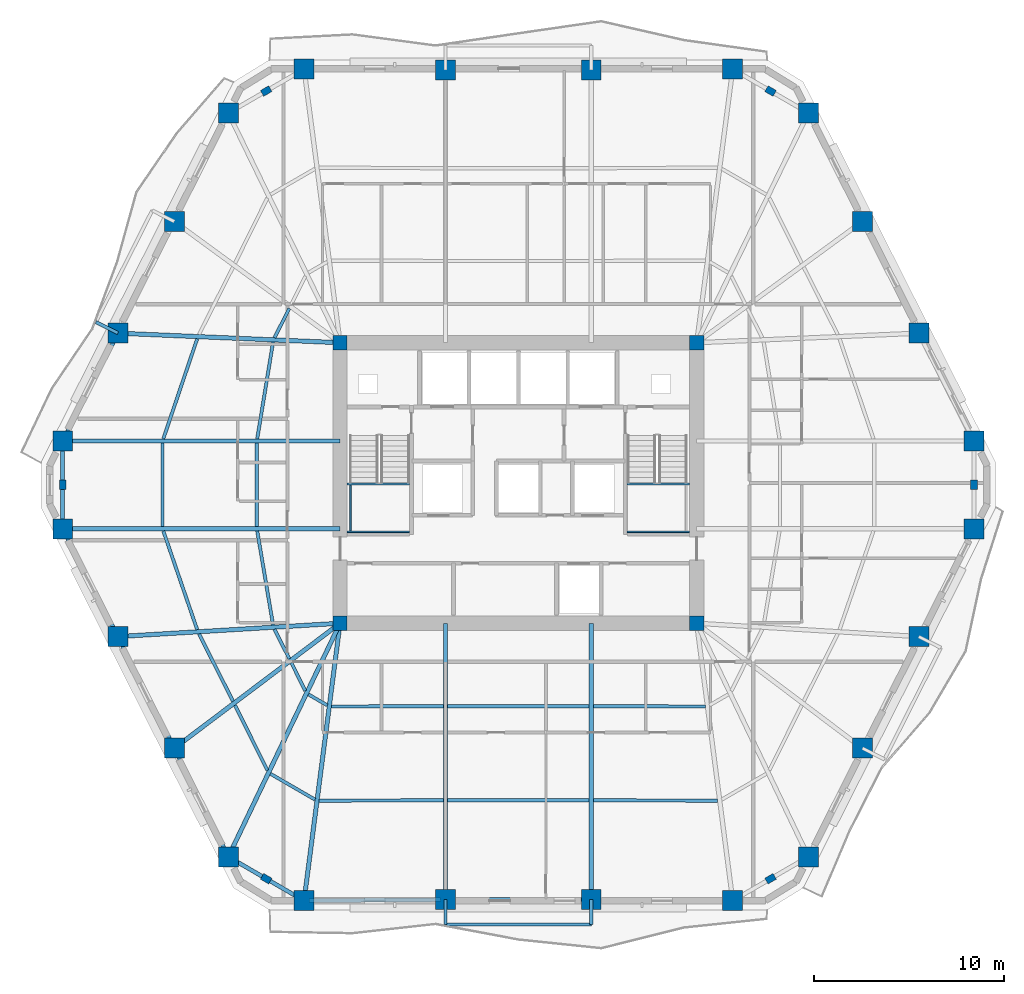
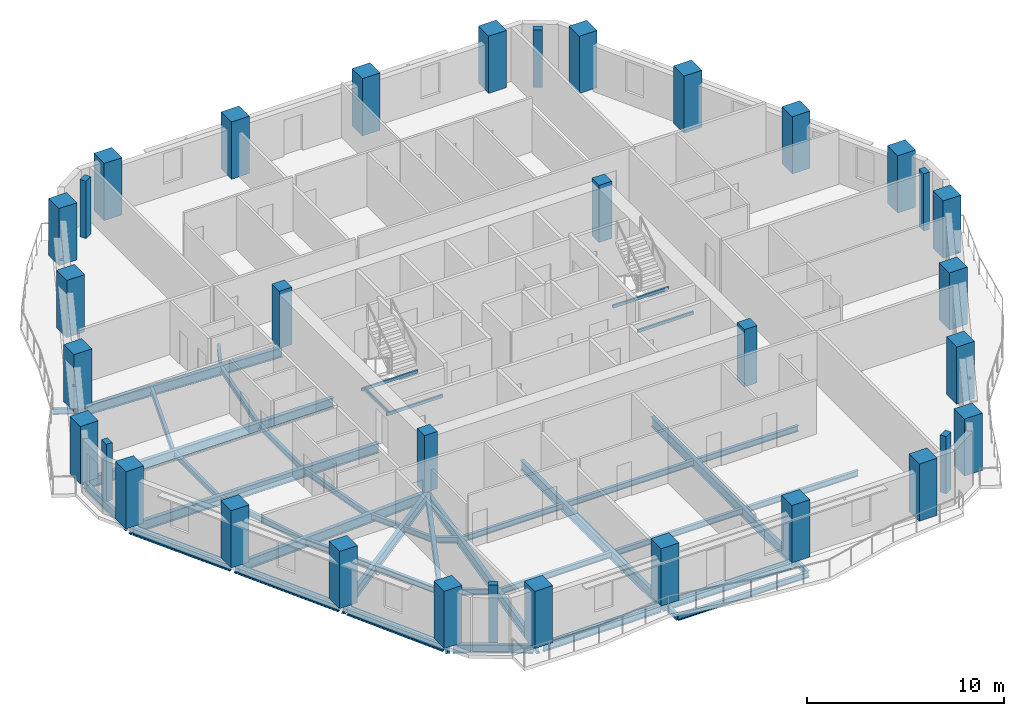
# One storey, part 1 of 12: 45 beams, 34 columns.
"""IFC4 building model written with IfcOpenShell, lengths in metres."""

import ifcopenshell
import ifcopenshell.guid

model = None  # the IFC model being written
_history = None  # IfcOwnerHistory: only IFC2X3 demands one
_inside = {}  # id of a spatial element -> (the spatial element, [elements in it])
_under = {}  # id of a project, library or spatial element -> (it, [spatial elements below it])
_declared = {}  # id of a project -> (the project, [libraries it declares])
_typed = {}  # id of a type object -> (the type object, [elements of that type])
_made_of = {}  # id of a material, layer set ... -> (it, [elements and type objects made of it])


def new_model(schema):
    """Start an empty IFC model of exactly this schema.

    Asked for "IFC4X3", IfcOpenShell would pick the latest addendum, in which some entities
    have other attributes; the version numbers below select the first issue.
    IFC2X3 requires an IfcOwnerHistory on every rooted entity: one is made here for all.
    """
    global model, _history
    if schema == "IFC4X3":
        model = ifcopenshell.file(schema_version=(4, 3, 0, 0))
    else:
        model = ifcopenshell.file(schema=schema)
    _inside.clear()
    _under.clear()
    _declared.clear()
    _typed.clear()
    _made_of.clear()
    _history = None
    if model.schema == "IFC2X3":
        org = make("IfcOrganization", Name="unknown")
        user = make(
            "IfcPersonAndOrganization",
            ThePerson=make("IfcPerson", FamilyName="unknown"),
            TheOrganization=org,
        )
        app = make(
            "IfcApplication",
            ApplicationDeveloper=org,
            Version="unknown",
            ApplicationFullName="unknown",
            ApplicationIdentifier="unknown",
        )
        _history = make(
            "IfcOwnerHistory",
            OwningUser=user,
            OwningApplication=app,
            ChangeAction="ADDED",
            CreationDate=0,
        )
    return model


def make(cls, **values):
    """One entity of the class cls with the attributes given. An attribute that is None is left unset."""
    return model.create_entity(
        cls, **{name: value for name, value in values.items() if value is not None}
    )


def rooted(cls, **values):
    """An entity with a GlobalId (a new one), such as an element, a storey or a relation."""
    return make(cls, GlobalId=ifcopenshell.guid.new(), OwnerHistory=_history, **values)


def si_unit(unit_type, name, prefix=None):
    """IfcSIUnit, for example si_unit("LENGTHUNIT", "METRE", prefix="MILLI")."""
    return make("IfcSIUnit", UnitType=unit_type, Prefix=prefix, Name=name)


def assignment(units):
    """IfcUnitAssignment: the units of a project."""
    return None if units is None else make("IfcUnitAssignment", Units=units)


def point(xyz):
    """IfcCartesianPoint."""
    return None if xyz is None else make("IfcCartesianPoint", Coordinates=xyz)


def direction(xyz):
    """IfcDirection."""
    return None if xyz is None else make("IfcDirection", DirectionRatios=xyz)


def frame(location, z_axis=None, x_axis=None):
    """IfcAxis2Placement3D, a coordinate frame: its origin and axes. An axis left out is left unset."""
    return make(
        "IfcAxis2Placement3D",
        Location=point(location),
        Axis=direction(z_axis),
        RefDirection=direction(x_axis),
    )


def frame_2d(location, x_axis=None):
    """IfcAxis2Placement2D, a coordinate frame in the plane: its origin and x axis."""
    return make(
        "IfcAxis2Placement2D", Location=point(location), RefDirection=direction(x_axis)
    )


def origin():
    """The frame at (0, 0, 0) with its axes left unset."""
    return frame((0.0, 0.0, 0.0))


def origin_2d():
    """The frame at (0, 0) in the plane with its x axis left unset."""
    return frame_2d((0.0, 0.0))


def place(relative_to, where):
    """IfcLocalPlacement: puts the frame where relative to a parent placement (None: the world)."""
    return make(
        "IfcLocalPlacement", PlacementRelTo=relative_to, RelativePlacement=where
    )


def context(
    kind, dimensions, precision=None, world=None, true_north=None, identifier=None
):
    """IfcGeometricRepresentationContext, for example the 3D "Model" context."""
    return make(
        "IfcGeometricRepresentationContext",
        ContextIdentifier=identifier,
        ContextType=kind,
        CoordinateSpaceDimension=dimensions,
        Precision=precision,
        WorldCoordinateSystem=world,
        TrueNorth=true_north,
    )


def subcontext(parent, identifier, kind, view, scale=None):
    """IfcGeometricRepresentationSubContext, for example "Body" below "Model"."""
    return make(
        "IfcGeometricRepresentationSubContext",
        ContextIdentifier=identifier,
        ContextType=kind,
        ParentContext=parent,
        TargetScale=scale,
        TargetView=view,
    )


def project(units=None, contexts=None):
    """IfcProject with its units and contexts."""
    return rooted(
        "IfcProject",
        Name="project",
        RepresentationContexts=contexts,
        UnitsInContext=assignment(units),
    )


def spatial(cls, under=None, at=None, **own):
    """A site, building, storey or space (cls), placed at a placement, below another one or the project."""
    s = rooted(cls, ObjectPlacement=at, **own)
    if under is not None:
        _under.setdefault(under.id(), (under, []))[1].append(s)
    return s


def profile(cls, at=None, kind="AREA", **sizes):
    """A parametric profile (cls). Its sizes go by their IFC names, for example OverallWidth=200.0."""
    return make(cls, ProfileType=kind, Position=at, **sizes)


def rectangle(**sizes):
    """IfcRectangleProfileDef."""
    return profile("IfcRectangleProfileDef", **sizes)


def hollow_rectangle(**sizes):
    """IfcRectangleHollowProfileDef."""
    return profile("IfcRectangleHollowProfileDef", **sizes)


def i_section(**sizes):
    """IfcIShapeProfileDef."""
    return profile("IfcIShapeProfileDef", **sizes)


def extrude(swept, where, along, depth):
    """IfcExtrudedAreaSolid: the profile swept, set in the frame where, extruded along a direction by depth."""
    return make(
        "IfcExtrudedAreaSolid",
        SweptArea=swept,
        Position=where,
        ExtrudedDirection=direction(along),
        Depth=depth,
    )


def shape(context_of_items, identifier, shape_type, items):
    """IfcShapeRepresentation: the items that make up one representation, for example the "Body"."""
    return make(
        "IfcShapeRepresentation",
        ContextOfItems=context_of_items,
        RepresentationIdentifier=identifier,
        RepresentationType=shape_type,
        Items=items,
    )


def material(Name=None, Category=None):
    """IfcMaterial."""
    return make("IfcMaterial", Name=Name, Category=Category)


def material_profile(
    of_material, cross_section, Name=None, Category=None, Priority=None
):
    """IfcMaterialProfile: a cross section and its material."""
    return make(
        "IfcMaterialProfile",
        Name=Name,
        Material=of_material,
        Profile=cross_section,
        Priority=Priority,
        Category=Category,
    )


def profile_set(profiles, Name=None, composite=None):
    """IfcMaterialProfileSet."""
    return make(
        "IfcMaterialProfileSet",
        Name=Name,
        MaterialProfiles=profiles,
        CompositeProfile=composite,
    )


def made_of(thing, what):
    """Note that an element or type object is made of a material, layer set ...; save() writes the relation."""
    if what is not None:
        _made_of.setdefault(what.id(), (what, []))[1].append(thing)
    return thing


def type_object(cls, material=None, **own):
    """A type object (cls), such as IfcWallType, which elements share."""
    return made_of(rooted(cls, **own), material)


def element(
    cls,
    number,
    at=None,
    inside=None,
    cuts=None,
    type_object=None,
    material=None,
    context=None,
    identifier="Body",
    shape_type=None,
    held_by="IfcProductDefinitionShape",
    body=None,
    shapes=None,
    **own,
):
    """One element of the class cls, such as IfcWall. Its Tag is "e" and its number.

    at: its placement. inside: the storey or other place that contains it. cuts: it is an
    opening in that element (IfcRelVoidsElement). A single representation is given by context,
    identifier, shape_type and body (its items); several are given by shapes. held_by: the class
    of the entity that holds the representations. save() writes the other relations.
    """
    e = rooted(cls, Tag="e%d" % number, ObjectPlacement=at, **own)
    if body is not None:
        shapes = [shape(context, identifier, shape_type, body)]
    if shapes is not None:
        e.Representation = make(held_by, Representations=shapes)
    if inside is not None:
        _inside.setdefault(inside.id(), (inside, []))[1].append(e)
    if cuts is not None:
        rooted(
            "IfcRelVoidsElement", RelatingBuildingElement=cuts, RelatedOpeningElement=e
        )
    if type_object is not None:
        _typed.setdefault(type_object.id(), (type_object, []))[1].append(e)
    return made_of(e, material)


def aggregate(whole, parts):
    """IfcRelAggregates: a whole, such as a stair, and the parts it consists of."""
    return rooted("IfcRelAggregates", RelatingObject=whole, RelatedObjects=parts)


def save(model, path):
    """Write the relations noted so far, then the file.

    IfcRelAggregates (storeys below a building ...), IfcRelContainedInSpatialStructure (elements
    in a storey), IfcRelDefinesByType, IfcRelAssociatesMaterial and IfcRelDeclares: one each for
    every whole, place, type object, material and project.
    """
    for whole, parts in _under.values():
        aggregate(whole, parts)
    for where, things in _inside.values():
        rooted(
            "IfcRelContainedInSpatialStructure",
            RelatedElements=things,
            RelatingStructure=where,
        )
    for kind, things in _typed.values():
        rooted("IfcRelDefinesByType", RelatedObjects=things, RelatingType=kind)
    for what, things in _made_of.values():
        rooted("IfcRelAssociatesMaterial", RelatedObjects=things, RelatingMaterial=what)
    for by, libraries in _declared.values():
        rooted("IfcRelDeclares", RelatingContext=by, RelatedDefinitions=libraries)
    model.write(path)


model = new_model("IFC4")

# Units and contexts
model_context = context("Model", 3, precision=1e-05, world=origin(), true_north=direction((0.0, 1.0)))
body_context = subcontext(model_context, "Body", "Model", "MODEL_VIEW")
ifc_project = project(units=[si_unit("LENGTHUNIT", "METRE"), si_unit("AREAUNIT", "SQUARE_METRE"), si_unit("VOLUMEUNIT", "CUBIC_METRE"), si_unit("PLANEANGLEUNIT", "RADIAN"), si_unit("MASSUNIT", "GRAM", prefix="KILO")], contexts=[model_context])

# Site, building, storey
site_placement = place(None, origin())
site = spatial("IfcSite", under=ifc_project, at=site_placement, CompositionType="ELEMENT")
building_placement = place(site_placement, origin())
building = spatial("IfcBuilding", under=site, at=building_placement, Name="Cinnabar Lancet Tower", CompositionType="ELEMENT")
storey_placement = place(building_placement, frame((0.0, 0.0, 137.449951171875)))
storey = spatial("IfcBuildingStorey", under=building, at=storey_placement, Name="L36", CompositionType="ELEMENT", Elevation=137.449951171875)

# Columns
ifc_material_1 = material(Name="Concrete C70/85", Category="concrete")
ifc_material_profile_1 = material_profile(ifc_material_1, rectangle(XDim=0.75, YDim=0.75, at=origin_2d()), Name="RC-COL 750x750")
ifc_profile_set_1 = profile_set([ifc_material_profile_1], Name="Concrete C70/85")
column_type_1 = type_object("IfcColumnType", Name="STR-COL-CORE-750", PredefinedType="COLUMN", material=ifc_profile_set_1)
for number, where, z_axis, x_axis, name in (
    (1, (23.02490234375, 18.52490234375, 0.0), (0.0, 0.0, 1.0), (1.0, 0.0, 0.0), "L36 Core Corner Column SW"),
    (2, (41.77490234375, 18.52490234375, 0.0), (0.0, 0.0, 1.0), (1.0, 0.0, 0.0), "L36 Core Corner Column SE"),
    (3, (41.77490234375, 33.27490234375, 0.0), (0.0, 0.0, 1.0), (1.0, 0.0, 0.0), "L36 Core Corner Column NE"),
    (4, (23.02490234375, 33.27490234375, 0.0), (0.0, 0.0, 1.0), (1.0, 0.0, 0.0), "L36 Core Corner Column NW"),
):
    element("IfcColumn", number, at=place(storey_placement, frame(where, z_axis=z_axis, x_axis=x_axis)), inside=storey, type_object=column_type_1, Name=name, PredefinedType="COLUMN", context=body_context, shape_type="SweptSolid", body=[
        extrude(rectangle(XDim=0.75, YDim=0.75, at=origin_2d()), origin(), (0.0, 0.0, 1.0), 3.550048828125),
    ])
ifc_material_2 = material(Name="Concrete C60/75", Category="concrete")
ifc_material_profile_2 = material_profile(ifc_material_2, rectangle(XDim=0.5, YDim=0.35009765625, at=origin_2d()), Name="RC-PIL 500x350")
ifc_profile_set_2 = profile_set([ifc_material_profile_2], Name="Concrete C60/75")
column_type_2 = type_object("IfcColumnType", Name="STR-COL-PIL-500", PredefinedType="PILASTER", material=ifc_profile_set_2)
for number, where, z_axis, x_axis, name in (
    (5, (19.14111328125, 5.093017578125, 0.0), (0.0, 0.0, 1.0), (0.865160173452, -0.501495637342, 0.0), "L36 Chamfered Corner Pilaster 1"),
    (6, (45.658935546875, 5.093017578125, 0.0), (0.0, 0.0, 1.0), (0.865160173452, 0.501495637342, 0.0), "L36 Chamfered Corner Pilaster 2"),
    (7, (56.35693359375, 25.800048828125, 0.0), (0.0, 0.0, 1.0), (0.0, 1.0, 0.0), "L36 Chamfered Corner Pilaster 3"),
    (8, (45.658935546875, 46.508056640625, 0.0), (0.0, 0.0, 1.0), (-0.865160173452, 0.501495637342, 0.0), "L36 Chamfered Corner Pilaster 4"),
    (9, (19.14111328125, 46.508056640625, 0.0), (0.0, 0.0, 1.0), (-0.865160173452, -0.501495637342, 0.0), "L36 Chamfered Corner Pilaster 5"),
    (10, (8.443115234375, 25.800048828125, 0.0), (0.0, 0.0, 1.0), (0.0, -1.0, 0.0), "L36 Chamfered Corner Pilaster 6"),
):
    element("IfcColumn", number, at=place(storey_placement, frame(where, z_axis=z_axis, x_axis=x_axis)), inside=storey, type_object=column_type_2, Name=name, PredefinedType="PILASTER", context=body_context, shape_type="SweptSolid", body=[
        extrude(rectangle(XDim=0.5, YDim=0.35009765625, at=origin_2d()), origin(), (0.0, 0.0, 1.0), 3.550048828125),
    ])
ifc_material_3 = material(Name="Concrete C70/85", Category="concrete")
ifc_material_profile_3 = material_profile(ifc_material_3, rectangle(XDim=1.050048828125, YDim=1.050048828125, at=origin_2d()), Name="RC-COL 1050x1050")
ifc_profile_set_3 = profile_set([ifc_material_profile_3], Name="Concrete C70/85")
column_type_3 = type_object("IfcColumnType", Name="STR-COL-TUBE-1050", PredefinedType="COLUMN", material=ifc_profile_set_3)
for number, where, z_axis, x_axis, name in (
    (11, (21.131103515625, 3.93896484375, 0.0), (0.0, 0.0, 1.0), (1.0, 0.0, 0.0), "L36 Perimeter Tube Column 1"),
    (12, (28.568115234375, 3.991943359375, 0.0), (0.0, 0.0, 1.0), (1.0, 0.0, 0.0), "L36 Perimeter Tube Column 2"),
    (13, (36.23193359375, 3.991943359375, 0.0), (0.0, 0.0, 1.0), (1.0, 0.0, 0.0), "L36 Perimeter Tube Column 3"),
    (14, (43.6689453125, 3.93896484375, 0.0), (0.0, 0.0, 1.0), (1.0, 0.0, 0.0), "L36 Perimeter Tube Column 4"),
    (15, (47.64892578125, 6.24609375, 0.0), (0.0, 0.0, 1.0), (1.0, 0.0, 0.0), "L36 Perimeter Tube Column 5"),
    (16, (50.489013671875, 11.955078125, 0.0), (0.0, 0.0, 1.0), (1.0, 0.0, 0.0), "L36 Perimeter Tube Column 6"),
    (17, (53.451904296875, 17.823974609375, 0.0), (0.0, 0.0, 1.0), (1.0, 0.0, 0.0), "L36 Perimeter Tube Column 7"),
    (18, (56.35693359375, 23.490966796875, 0.0), (0.0, 0.0, 1.0), (1.0, 0.0, 0.0), "L36 Perimeter Tube Column 8"),
    (19, (56.35693359375, 28.10888671875, 0.0), (0.0, 0.0, 1.0), (1.0, 0.0, 0.0), "L36 Perimeter Tube Column 9"),
    (20, (53.451904296875, 33.77587890625, 0.0), (0.0, 0.0, 1.0), (1.0, 0.0, 0.0), "L36 Perimeter Tube Column 10"),
    (21, (50.489013671875, 39.64501953125, 0.0), (0.0, 0.0, 1.0), (1.0, 0.0, 0.0), "L36 Perimeter Tube Column 11"),
    (22, (47.64892578125, 45.35400390625, 0.0), (0.0, 0.0, 1.0), (1.0, 0.0, 0.0), "L36 Perimeter Tube Column 12"),
    (23, (43.6689453125, 47.660888671875, 0.0), (0.0, 0.0, 1.0), (1.0, 0.0, 0.0), "L36 Perimeter Tube Column 13"),
    (24, (36.23193359375, 47.60791015625, 0.0), (0.0, 0.0, 1.0), (1.0, 0.0, 0.0), "L36 Perimeter Tube Column 14"),
    (25, (28.568115234375, 47.60791015625, 0.0), (0.0, 0.0, 1.0), (1.0, 0.0, 0.0), "L36 Perimeter Tube Column 15"),
    (26, (21.131103515625, 47.660888671875, 0.0), (0.0, 0.0, 1.0), (1.0, 0.0, 0.0), "L36 Perimeter Tube Column 16"),
    (27, (17.15087890625, 45.35400390625, 0.0), (0.0, 0.0, 1.0), (1.0, 0.0, 0.0), "L36 Perimeter Tube Column 17"),
    (28, (14.31103515625, 39.64501953125, 0.0), (0.0, 0.0, 1.0), (1.0, 0.0, 0.0), "L36 Perimeter Tube Column 18"),
    (29, (11.347900390625, 33.77587890625, 0.0), (0.0, 0.0, 1.0), (1.0, 0.0, 0.0), "L36 Perimeter Tube Column 19"),
    (30, (8.443115234375, 28.10888671875, 0.0), (0.0, 0.0, 1.0), (1.0, 0.0, 0.0), "L36 Perimeter Tube Column 20"),
    (31, (8.443115234375, 23.490966796875, 0.0), (0.0, 0.0, 1.0), (1.0, 0.0, 0.0), "L36 Perimeter Tube Column 21"),
    (32, (11.347900390625, 17.823974609375, 0.0), (0.0, 0.0, 1.0), (1.0, 0.0, 0.0), "L36 Perimeter Tube Column 22"),
    (33, (14.31103515625, 11.955078125, 0.0), (0.0, 0.0, 1.0), (1.0, 0.0, 0.0), "L36 Perimeter Tube Column 23"),
    (34, (17.15087890625, 6.24609375, 0.0), (0.0, 0.0, 1.0), (1.0, 0.0, 0.0), "L36 Perimeter Tube Column 24"),
):
    element("IfcColumn", number, at=place(storey_placement, frame(where, z_axis=z_axis, x_axis=x_axis)), inside=storey, type_object=column_type_3, Name=name, PredefinedType="COLUMN", context=body_context, shape_type="SweptSolid", body=[
        extrude(rectangle(XDim=1.050048828125, YDim=1.050048828125, at=origin_2d()), origin(), (0.0, 0.0, 1.0), 3.550048828125),
    ])

# Beams
ifc_material_4 = material(Name="Structural steel S355", Category="steel")
ifc_material_profile_4 = material_profile(ifc_material_4, i_section(OverallWidth=0.17138671875, OverallDepth=0.35498046875, WebThickness=0.00732421875, FlangeThickness=0.011474609375, FilletRadius=0.01025390625, at=origin_2d()), Name="UKB 356x171x51")
ifc_profile_set_4 = profile_set([ifc_material_profile_4], Name="Structural steel S355")
beam_type_1 = type_object("IfcBeamType", Name="STR-BM-JST-356", PredefinedType="JOIST", material=ifc_profile_set_4)
beam_1_placement = place(storey_placement, frame((13.73193359375, 23.376953125, -0.387939453125), z_axis=(0.324639458548, -0.945837841257, 0.0), x_axis=(0.945837841257, 0.324639458548, 0.0)))
element("IfcBeam", 35, at=beam_1_placement, inside=storey, type_object=beam_type_1, Name="L36 Secondary Floor Joist 1", PredefinedType="JOIST", context=body_context, shape_type="SweptSolid", body=[
    extrude(i_section(OverallWidth=0.17138671875, OverallDepth=0.35498046875, WebThickness=0.00732421875, FlangeThickness=0.011474609375, FilletRadius=0.01025390625, at=origin_2d()), origin(), (0.0, 0.0, 1.0), 5.486083984375),
])
beam_2_placement = place(storey_placement, frame((18.669921875, 23.376953125, -0.387939453125), z_axis=(0.165984412241, -0.986128376477, 0.0), x_axis=(0.986128376477, 0.165984412241, 0.0)))
element("IfcBeam", 36, at=beam_2_placement, inside=storey, type_object=beam_type_1, Name="L36 Secondary Floor Joist 2", PredefinedType="JOIST", context=body_context, shape_type="SweptSolid", body=[
    extrude(i_section(OverallWidth=0.17138671875, OverallDepth=0.35498046875, WebThickness=0.00732421875, FlangeThickness=0.011474609375, FilletRadius=0.01025390625, at=origin_2d()), origin(), (0.0, 0.0, 1.0), 5.0185546875),
])
beam_3_placement = place(storey_placement, frame((15.60791015625, 17.965087890625, -0.387939453125), z_axis=(0.450755070916, -0.892647671841, 0.0), x_axis=(0.892647671841, 0.450755070916, 0.0)))
element("IfcBeam", 37, at=beam_3_placement, inside=storey, type_object=beam_type_1, Name="L36 Secondary Floor Joist 3", PredefinedType="JOIST", context=body_context, shape_type="SweptSolid", body=[
    extrude(i_section(OverallWidth=0.17138671875, OverallDepth=0.35498046875, WebThickness=0.00732421875, FlangeThickness=0.011474609375, FilletRadius=0.01025390625, at=origin_2d()), origin(), (0.0, 0.0, 1.0), 3.966796875),
])
beam_4_placement = place(storey_placement, frame((19.577880859375, 18.2041015625, -0.387939453125), z_axis=(0.450874341268, -0.892587434589, 0.0), x_axis=(0.892587434589, 0.450874341268, 0.0)))
element("IfcBeam", 38, at=beam_4_placement, inside=storey, type_object=beam_type_1, Name="L36 Secondary Floor Joist 4", PredefinedType="JOIST", context=body_context, shape_type="SweptSolid", body=[
    extrude(i_section(OverallWidth=0.17138671875, OverallDepth=0.35498046875, WebThickness=0.00732421875, FlangeThickness=0.011474609375, FilletRadius=0.01025390625, at=origin_2d()), origin(), (0.0, 0.0, 1.0), 1.732177734375),
])
beam_5_placement = place(storey_placement, frame((17.5, 14.216064453125, -0.387939453125), z_axis=(0.445295120803, -0.895383859241, 0.0), x_axis=(0.895383859241, 0.445295120803, 0.0)))
element("IfcBeam", 39, at=beam_5_placement, inside=storey, type_object=beam_type_1, Name="L36 Secondary Floor Joist 5", PredefinedType="JOIST", context=body_context, shape_type="SweptSolid", body=[
    extrude(i_section(OverallWidth=0.17138671875, OverallDepth=0.35498046875, WebThickness=0.00732421875, FlangeThickness=0.011474609375, FilletRadius=0.01025390625, at=origin_2d()), origin(), (0.0, 0.0, 1.0), 3.81982421875),
])
beam_6_placement = place(storey_placement, frame((20.4619140625, 16.449951171875, -0.387939453125), z_axis=(0.445557690111, -0.895253229418, 0.0), x_axis=(0.895253229418, 0.445557690111, 0.0)))
element("IfcBeam", 40, at=beam_6_placement, inside=storey, type_object=beam_type_1, Name="L36 Secondary Floor Joist 6", PredefinedType="JOIST", context=body_context, shape_type="SweptSolid", body=[
    extrude(i_section(OverallWidth=0.17138671875, OverallDepth=0.35498046875, WebThickness=0.00732421875, FlangeThickness=0.011474609375, FilletRadius=0.01025390625, at=origin_2d()), origin(), (0.0, 0.0, 1.0), 1.652099609375),
])
beam_7_placement = place(storey_placement, frame((19.364990234375, 10.60888671875, -0.387939453125), z_axis=(0.865172906898, -0.501473669469, 0.0), x_axis=(0.501473669469, 0.865172906898, 0.0)))
element("IfcBeam", 41, at=beam_7_placement, inside=storey, type_object=beam_type_1, Name="L36 Secondary Floor Joist 7", PredefinedType="JOIST", context=body_context, shape_type="SweptSolid", body=[
    extrude(i_section(OverallWidth=0.17138671875, OverallDepth=0.35498046875, WebThickness=0.00732421875, FlangeThickness=0.011474609375, FilletRadius=0.01025390625, at=origin_2d()), origin(), (0.0, 0.0, 1.0), 2.705810546875),
])
beam_8_placement = place(storey_placement, frame((21.362060546875, 14.783935546875, -0.387939453125), z_axis=(0.865055308165, -0.501676503154, 0.0), x_axis=(0.501676503154, 0.865055308165, 0.0)))
element("IfcBeam", 42, at=beam_8_placement, inside=storey, type_object=beam_type_1, Name="L36 Secondary Floor Joist 8", PredefinedType="JOIST", context=body_context, shape_type="SweptSolid", body=[
    extrude(i_section(OverallWidth=0.17138671875, OverallDepth=0.35498046875, WebThickness=0.00732421875, FlangeThickness=0.011474609375, FilletRadius=0.01025390625, at=origin_2d()), origin(), (0.0, 0.0, 1.0), 1.14208984375),
])
beam_9_placement = place(storey_placement, frame((21.927978515625, 9.19091796875, -0.387939453125), z_axis=(0.999987991898, 0.004900618269, 0.0), x_axis=(-0.004900618269, 0.999987991898, 0.0)))
element("IfcBeam", 43, at=beam_9_placement, inside=storey, type_object=beam_type_1, Name="L36 Secondary Floor Joist 9", PredefinedType="JOIST", context=body_context, shape_type="SweptSolid", body=[
    extrude(i_section(OverallWidth=0.17138671875, OverallDepth=0.35498046875, WebThickness=0.00732421875, FlangeThickness=0.011474609375, FilletRadius=0.01025390625, at=origin_2d()), origin(), (0.0, 0.0, 1.0), 6.526123046875),
])
beam_10_placement = place(storey_placement, frame((22.572021484375, 14.14892578125, -0.387939453125), z_axis=(0.999996247906, 0.002739374605, 0.0), x_axis=(-0.002739374605, 0.999996247906, 0.0)))
element("IfcBeam", 44, at=beam_10_placement, inside=storey, type_object=beam_type_1, Name="L36 Secondary Floor Joist 10", PredefinedType="JOIST", context=body_context, shape_type="SweptSolid", body=[
    extrude(i_section(OverallWidth=0.17138671875, OverallDepth=0.35498046875, WebThickness=0.00732421875, FlangeThickness=0.011474609375, FilletRadius=0.01025390625, at=origin_2d()), origin(), (0.0, 0.0, 1.0), 5.882080078125),
])
for number, where, z_axis, x_axis, name in (
    (45, (28.681884765625, 9.22412109375, -0.387939453125), (1.0, 0.0, 0.0), (0.0, 1.0, 0.0), "L36 Secondary Floor Joist 11"),
    (46, (28.681884765625, 14.1650390625, -0.387939453125), (1.0, 0.0, 0.0), (0.0, 1.0, 0.0), "L36 Secondary Floor Joist 12"),
):
    element("IfcBeam", number, at=place(storey_placement, frame(where, z_axis=z_axis, x_axis=x_axis)), inside=storey, type_object=beam_type_1, Name=name, PredefinedType="JOIST", context=body_context, shape_type="SweptSolid", body=[
        extrude(i_section(OverallWidth=0.17138671875, OverallDepth=0.35498046875, WebThickness=0.00732421875, FlangeThickness=0.011474609375, FilletRadius=0.01025390625, at=origin_2d()), origin(), (0.0, 0.0, 1.0), 7.43603515625),
    ])
beam_11_placement = place(storey_placement, frame((36.345947265625, 9.222900390625, -0.387939453125), z_axis=(0.999987991898, -0.004900618269, 0.0), x_axis=(0.004900618269, 0.999987991898, 0.0)))
element("IfcBeam", 47, at=beam_11_placement, inside=storey, type_object=beam_type_1, Name="L36 Secondary Floor Joist 13", PredefinedType="JOIST", context=body_context, shape_type="SweptSolid", body=[
    extrude(i_section(OverallWidth=0.17138671875, OverallDepth=0.35498046875, WebThickness=0.00732421875, FlangeThickness=0.011474609375, FilletRadius=0.01025390625, at=origin_2d()), origin(), (0.0, 0.0, 1.0), 6.526123046875),
])
beam_12_placement = place(storey_placement, frame((36.345947265625, 14.1650390625, -0.387939453125), z_axis=(0.999996247906, -0.002739374605, 0.0), x_axis=(0.002739374605, 0.999996247906, 0.0)))
element("IfcBeam", 48, at=beam_12_placement, inside=storey, type_object=beam_type_1, Name="L36 Secondary Floor Joist 14", PredefinedType="JOIST", context=body_context, shape_type="SweptSolid", body=[
    extrude(i_section(OverallWidth=0.17138671875, OverallDepth=0.35498046875, WebThickness=0.00732421875, FlangeThickness=0.011474609375, FilletRadius=0.01025390625, at=origin_2d()), origin(), (0.0, 0.0, 1.0), 5.882080078125),
])
beam_13_placement = place(storey_placement, frame((20.35888671875, 35.0830078125, -0.387939453125), z_axis=(-0.450931068976, -0.892558777354, 0.0), x_axis=(0.892558777354, -0.450931068976, 0.0)))
element("IfcBeam", 49, at=beam_13_placement, inside=storey, type_object=beam_type_1, Name="L36 Secondary Floor Joist 44", PredefinedType="JOIST", context=body_context, shape_type="SweptSolid", body=[
    extrude(i_section(OverallWidth=0.17138671875, OverallDepth=0.35498046875, WebThickness=0.00732421875, FlangeThickness=0.011474609375, FilletRadius=0.01025390625, at=origin_2d()), origin(), (0.0, 0.0, 1.0), 1.73193359375),
])
beam_14_placement = place(storey_placement, frame((15.513916015625, 33.48291015625, -0.387939453125), z_axis=(-0.321023911172, -0.947071089442, 0.0), x_axis=(0.947071089442, -0.321023911172, 0.0)))
element("IfcBeam", 50, at=beam_14_placement, inside=storey, type_object=beam_type_1, Name="L36 Secondary Floor Joist 45", PredefinedType="JOIST", context=body_context, shape_type="SweptSolid", body=[
    extrude(i_section(OverallWidth=0.17138671875, OverallDepth=0.35498046875, WebThickness=0.00732421875, FlangeThickness=0.011474609375, FilletRadius=0.01025390625, at=origin_2d()), origin(), (0.0, 0.0, 1.0), 5.553955078125),
])
beam_15_placement = place(storey_placement, frame((19.5029296875, 33.31201171875, -0.387939453125), z_axis=(-0.161719098977, -0.986836832017, 0.0), x_axis=(0.986836832017, -0.161719098977, 0.0)))
element("IfcBeam", 51, at=beam_15_placement, inside=storey, type_object=beam_type_1, Name="L36 Secondary Floor Joist 46", PredefinedType="JOIST", context=body_context, shape_type="SweptSolid", body=[
    extrude(i_section(OverallWidth=0.17138671875, OverallDepth=0.35498046875, WebThickness=0.00732421875, FlangeThickness=0.011474609375, FilletRadius=0.01025390625, at=origin_2d()), origin(), (0.0, 0.0, 1.0), 5.156982421875),
])
for number, where, z_axis, x_axis, name in (
    (52, (13.693115234375, 27.9951171875, -0.387939453125), (0.0, -1.0, 0.0), (1.0, 0.0, 0.0), "L36 Secondary Floor Joist 47"),
    (53, (18.64990234375, 27.9951171875, -0.387939453125), (0.0, -1.0, 0.0), (1.0, 0.0, 0.0), "L36 Secondary Floor Joist 48"),
):
    element("IfcBeam", number, at=place(storey_placement, frame(where, z_axis=z_axis, x_axis=x_axis)), inside=storey, type_object=beam_type_1, Name=name, PredefinedType="JOIST", context=body_context, shape_type="SweptSolid", body=[
        extrude(i_section(OverallWidth=0.17138671875, OverallDepth=0.35498046875, WebThickness=0.00732421875, FlangeThickness=0.011474609375, FilletRadius=0.01025390625, at=origin_2d()), origin(), (0.0, 0.0, 1.0), 4.39013671875),
    ])
ifc_material_5 = material(Name="Structural steel S355", Category="steel")
ifc_material_profile_5 = material_profile(ifc_material_5, hollow_rectangle(XDim=0.10009765625, YDim=0.199951171875, WallThickness=0.008056640625, InnerFilletRadius=0.00390625, OuterFilletRadius=0.011962890625, at=origin_2d()), Name="RHS 200x100x8")
ifc_profile_set_5 = profile_set([ifc_material_profile_5], Name="Structural steel S355")
beam_type_2 = type_object("IfcBeamType", Name="STR-BM-LND-203", PredefinedType="BEAM", material=ifc_profile_set_5)
for number, where, z_axis, x_axis, name in (
    (54, (23.39990234375, 23.330078125, 1.47509765625), (1.0, 0.0, 0.0), (0.0, 1.0, 0.0), "L36 ST-1-L36 Landing Support Beam S"),
    (55, (23.39990234375, 25.844970703125, 1.47509765625), (1.0, 0.0, 0.0), (0.0, 1.0, 0.0), "L36 ST-1-L36 Landing Support Beam N"),
):
    element("IfcBeam", number, at=place(storey_placement, frame(where, z_axis=z_axis, x_axis=x_axis)), inside=storey, type_object=beam_type_2, Name=name, PredefinedType="BEAM", context=body_context, shape_type="SweptSolid", body=[
        extrude(hollow_rectangle(XDim=0.10009765625, YDim=0.199951171875, WallThickness=0.008056640625, InnerFilletRadius=0.00390625, OuterFilletRadius=0.011962890625, at=origin_2d()), origin(), (0.0, 0.0, 1.0), 3.280029296875),
    ])
beam_16_placement = place(storey_placement, frame((23.580078125, 23.3798828125, 1.47509765625), z_axis=(0.0, 1.0, 0.0), x_axis=(-1.0, 0.0, 0.0)))
element("IfcBeam", 56, at=beam_16_placement, inside=storey, type_object=beam_type_2, Name="L36 ST-1-L36 Landing Side Trimmer Beam", PredefinedType="BEAM", context=body_context, shape_type="SweptSolid", body=[
    extrude(hollow_rectangle(XDim=0.10009765625, YDim=0.199951171875, WallThickness=0.008056640625, InnerFilletRadius=0.00390625, OuterFilletRadius=0.011962890625, at=origin_2d()), origin(), (0.0, 0.0, 1.0), 2.4150390625),
])
for number, where, z_axis, x_axis, name in (
    (57, (38.1201171875, 23.330078125, 1.47509765625), (1.0, 0.0, 0.0), (0.0, 1.0, 0.0), "L36 ST-2-L36 Landing Support Beam S"),
    (58, (38.1201171875, 25.844970703125, 1.47509765625), (1.0, 0.0, 0.0), (0.0, 1.0, 0.0), "L36 ST-2-L36 Landing Support Beam N"),
):
    element("IfcBeam", number, at=place(storey_placement, frame(where, z_axis=z_axis, x_axis=x_axis)), inside=storey, type_object=beam_type_2, Name=name, PredefinedType="BEAM", context=body_context, shape_type="SweptSolid", body=[
        extrude(hollow_rectangle(XDim=0.10009765625, YDim=0.199951171875, WallThickness=0.008056640625, InnerFilletRadius=0.00390625, OuterFilletRadius=0.011962890625, at=origin_2d()), origin(), (0.0, 0.0, 1.0), 3.27978515625),
    ])
ifc_material_6 = material(Name="Structural steel S355", Category="steel")
ifc_material_profile_6 = material_profile(ifc_material_6, i_section(OverallWidth=0.209228515625, OverallDepth=0.533203125, WebThickness=0.010009765625, FlangeThickness=0.015625, FilletRadius=0.0126953125, at=origin_2d()), Name="UKB 533x210x92")
ifc_profile_set_6 = profile_set([ifc_material_profile_6], Name="Structural steel S355")
beam_type_3 = type_object("IfcBeamType", Name="STR-BM-SPN-533", PredefinedType="SPANDREL", material=ifc_profile_set_6)
beam_17_placement = place(storey_placement, frame((21.381103515625, 3.94091796875, -0.47705078125), z_axis=(0.999974980359, 0.007073800628, 0.0), x_axis=(-0.007073800628, 0.999974980359, 0.0)))
element("IfcBeam", 59, at=beam_17_placement, inside=storey, type_object=beam_type_3, Name="L36 Perimeter Spandrel 1", PredefinedType="SPANDREL", context=body_context, shape_type="SweptSolid", body=[
    extrude(i_section(OverallWidth=0.209228515625, OverallDepth=0.533203125, WebThickness=0.010009765625, FlangeThickness=0.015625, FilletRadius=0.0126953125, at=origin_2d()), origin(), (0.0, 0.0, 1.0), 6.937255859375),
])
beam_18_placement = place(storey_placement, frame((28.818115234375, 3.991943359375, -0.47705078125), z_axis=(1.0, 0.0, 0.0), x_axis=(0.0, 1.0, 0.0)))
element("IfcBeam", 60, at=beam_18_placement, inside=storey, type_object=beam_type_3, Name="L36 Perimeter Spandrel 2", PredefinedType="SPANDREL", context=body_context, shape_type="SweptSolid", body=[
    extrude(i_section(OverallWidth=0.209228515625, OverallDepth=0.533203125, WebThickness=0.010009765625, FlangeThickness=0.015625, FilletRadius=0.0126953125, at=origin_2d()), origin(), (0.0, 0.0, 1.0), 7.163818359375),
])
beam_19_placement = place(storey_placement, frame((11.23388671875, 33.553955078125, -0.47705078125), z_axis=(-0.456126618405, -0.889914888055, 0.0), x_axis=(0.889914888055, -0.456126618405, 0.0)))
element("IfcBeam", 61, at=beam_19_placement, inside=storey, type_object=beam_type_3, Name="L36 Perimeter Spandrel 19", PredefinedType="SPANDREL", context=body_context, shape_type="SweptSolid", body=[
    extrude(i_section(OverallWidth=0.209228515625, OverallDepth=0.533203125, WebThickness=0.010009765625, FlangeThickness=0.015625, FilletRadius=0.0126953125, at=origin_2d()), origin(), (0.0, 0.0, 1.0), 5.868896484375),
])
beam_20_placement = place(storey_placement, frame((8.443115234375, 27.85888671875, -0.47705078125), z_axis=(0.0, -1.0, 0.0), x_axis=(1.0, 0.0, 0.0)))
element("IfcBeam", 62, at=beam_20_placement, inside=storey, type_object=beam_type_3, Name="L36 Perimeter Spandrel 20", PredefinedType="SPANDREL", context=body_context, shape_type="SweptSolid", body=[
    extrude(i_section(OverallWidth=0.209228515625, OverallDepth=0.533203125, WebThickness=0.010009765625, FlangeThickness=0.015625, FilletRadius=0.0126953125, at=origin_2d()), origin(), (0.0, 0.0, 1.0), 4.117919921875),
])
beam_21_placement = place(storey_placement, frame((8.556884765625, 23.26904296875, -0.47705078125), z_axis=(0.456109733574, -0.889923542187, 0.0), x_axis=(0.889923542187, 0.456109733574, 0.0)))
element("IfcBeam", 63, at=beam_21_placement, inside=storey, type_object=beam_type_3, Name="L36 Perimeter Spandrel 21", PredefinedType="SPANDREL", context=body_context, shape_type="SweptSolid", body=[
    extrude(i_section(OverallWidth=0.209228515625, OverallDepth=0.533203125, WebThickness=0.010009765625, FlangeThickness=0.015625, FilletRadius=0.0126953125, at=origin_2d()), origin(), (0.0, 0.0, 1.0), 5.869140625),
])
beam_22_placement = place(storey_placement, frame((11.4609375, 17.60107421875, -0.47705078125), z_axis=(0.450570325924, -0.892740937449, 0.0), x_axis=(0.892740937449, 0.450570325924, 0.0)))
element("IfcBeam", 64, at=beam_22_placement, inside=storey, type_object=beam_type_3, Name="L36 Perimeter Spandrel 22", PredefinedType="SPANDREL", context=body_context, shape_type="SweptSolid", body=[
    extrude(i_section(OverallWidth=0.209228515625, OverallDepth=0.533203125, WebThickness=0.010009765625, FlangeThickness=0.015625, FilletRadius=0.0126953125, at=origin_2d()), origin(), (0.0, 0.0, 1.0), 6.07470703125),
])
beam_23_placement = place(storey_placement, frame((14.422119140625, 11.73095703125, -0.47705078125), z_axis=(0.445501068635, -0.89528140707, 0.0), x_axis=(0.89528140707, 0.445501068635, 0.0)))
element("IfcBeam", 65, at=beam_23_placement, inside=storey, type_object=beam_type_3, Name="L36 Perimeter Spandrel 23", PredefinedType="SPANDREL", context=body_context, shape_type="SweptSolid", body=[
    extrude(i_section(OverallWidth=0.209228515625, OverallDepth=0.533203125, WebThickness=0.010009765625, FlangeThickness=0.015625, FilletRadius=0.0126953125, at=origin_2d()), origin(), (0.0, 0.0, 1.0), 5.87646484375),
])
beam_24_placement = place(storey_placement, frame((17.366943359375, 6.12109375, -0.47705078125), z_axis=(0.865112299906, -0.501578217781, 0.0), x_axis=(0.501578217781, 0.865112299906, 0.0)))
element("IfcBeam", 66, at=beam_24_placement, inside=storey, type_object=beam_type_3, Name="L36 Perimeter Spandrel 24", PredefinedType="SPANDREL", context=body_context, shape_type="SweptSolid", body=[
    extrude(i_section(OverallWidth=0.209228515625, OverallDepth=0.533203125, WebThickness=0.010009765625, FlangeThickness=0.015625, FilletRadius=0.0126953125, at=origin_2d()), origin(), (0.0, 0.0, 1.0), 4.101318359375),
])
ifc_material_7 = material(Name="Structural steel S355", Category="steel")
ifc_material_profile_7 = material_profile(ifc_material_7, i_section(OverallWidth=0.228271484375, OverallDepth=0.607666015625, WebThickness=0.010986328125, FlangeThickness=0.017333984375, FilletRadius=0.0126953125, at=origin_2d()), Name="UKB 610x229x113")
ifc_profile_set_7 = profile_set([ifc_material_profile_7], Name="Structural steel S355")
beam_type_4 = type_object("IfcBeamType", Name="STR-BM-UKB610-113", PredefinedType="BEAM", material=ifc_profile_set_7)
beam_25_placement = place(storey_placement, frame((14.31103515625, 11.955078125, -0.513916015625), z_axis=(0.798483350078, 0.602016893158, 0.0), x_axis=(-0.602016893158, 0.798483350078, 0.0)))
element("IfcBeam", 67, at=beam_25_placement, inside=storey, type_object=beam_type_4, Name="L36 Corner Collector Girder 1", PredefinedType="BEAM", context=body_context, shape_type="SweptSolid", body=[
    extrude(i_section(OverallWidth=0.228271484375, OverallDepth=0.607666015625, WebThickness=0.010986328125, FlangeThickness=0.017333984375, FilletRadius=0.0126953125, at=origin_2d()), origin(), (0.0, 0.0, 1.0), 10.9130859375),
])
beam_26_placement = place(storey_placement, frame((21.131103515625, 3.93896484375, -0.513916015625), z_axis=(0.128756570002, 0.991676230269, 0.0), x_axis=(-0.991676230269, 0.128756570002, 0.0)))
element("IfcBeam", 68, at=beam_26_placement, inside=storey, type_object=beam_type_4, Name="L36 Primary Floor Girder 1", PredefinedType="BEAM", context=body_context, shape_type="SweptSolid", body=[
    extrude(i_section(OverallWidth=0.228271484375, OverallDepth=0.607666015625, WebThickness=0.010986328125, FlangeThickness=0.017333984375, FilletRadius=0.0126953125, at=origin_2d()), origin(), (0.0, 0.0, 1.0), 14.708251953125),
])
for number, where, z_axis, x_axis, name in (
    (69, (28.568115234375, 3.991943359375, -0.513916015625), (0.0, 1.0, 0.0), (-1.0, 0.0, 0.0), "L36 Primary Floor Girder 2"),
    (70, (36.23193359375, 3.991943359375, -0.513916015625), (0.0, 1.0, 0.0), (-1.0, 0.0, 0.0), "L36 Primary Floor Girder 3"),
):
    element("IfcBeam", number, at=place(storey_placement, frame(where, z_axis=z_axis, x_axis=x_axis)), inside=storey, type_object=beam_type_4, Name=name, PredefinedType="BEAM", context=body_context, shape_type="SweptSolid", body=[
        extrude(i_section(OverallWidth=0.228271484375, OverallDepth=0.607666015625, WebThickness=0.010986328125, FlangeThickness=0.017333984375, FilletRadius=0.0126953125, at=origin_2d()), origin(), (0.0, 0.0, 1.0), 14.532958984375),
    ])
beam_27_placement = place(storey_placement, frame((11.347900390625, 33.77587890625, -0.513916015625), z_axis=(0.999080941658, -0.042863411158, 0.0), x_axis=(0.042863411158, 0.999080941658, 0.0)))
element("IfcBeam", 71, at=beam_27_placement, inside=storey, type_object=beam_type_4, Name="L36 Primary Floor Girder 19", PredefinedType="BEAM", context=body_context, shape_type="SweptSolid", body=[
    extrude(i_section(OverallWidth=0.228271484375, OverallDepth=0.607666015625, WebThickness=0.010986328125, FlangeThickness=0.017333984375, FilletRadius=0.0126953125, at=origin_2d()), origin(), (0.0, 0.0, 1.0), 11.687744140625),
])
for number, where, z_axis, x_axis, name in (
    (72, (8.443115234375, 28.10888671875, -0.513916015625), (1.0, 0.0, 0.0), (0.0, 1.0, 0.0), "L36 Primary Floor Girder 20"),
    (73, (8.443115234375, 23.490966796875, -0.513916015625), (1.0, 0.0, 0.0), (0.0, 1.0, 0.0), "L36 Primary Floor Girder 21"),
):
    element("IfcBeam", number, at=place(storey_placement, frame(where, z_axis=z_axis, x_axis=x_axis)), inside=storey, type_object=beam_type_4, Name=name, PredefinedType="BEAM", context=body_context, shape_type="SweptSolid", body=[
        extrude(i_section(OverallWidth=0.228271484375, OverallDepth=0.607666015625, WebThickness=0.010986328125, FlangeThickness=0.017333984375, FilletRadius=0.0126953125, at=origin_2d()), origin(), (0.0, 0.0, 1.0), 14.581787109375),
    ])
beam_28_placement = place(storey_placement, frame((11.347900390625, 17.823974609375, -0.513916015625), z_axis=(0.998203272991, 0.059918492897, 0.0), x_axis=(-0.059918492897, 0.998203272991, 0.0)))
element("IfcBeam", 74, at=beam_28_placement, inside=storey, type_object=beam_type_4, Name="L36 Primary Floor Girder 22", PredefinedType="BEAM", context=body_context, shape_type="SweptSolid", body=[
    extrude(i_section(OverallWidth=0.228271484375, OverallDepth=0.607666015625, WebThickness=0.010986328125, FlangeThickness=0.017333984375, FilletRadius=0.0126953125, at=origin_2d()), origin(), (0.0, 0.0, 1.0), 11.697998046875),
])
beam_29_placement = place(storey_placement, frame((17.15087890625, 6.24609375, -0.513916015625), z_axis=(0.431548156881, 0.902089900339, 0.0), x_axis=(-0.902089900339, 0.431548156881, 0.0)))
element("IfcBeam", 75, at=beam_29_placement, inside=storey, type_object=beam_type_4, Name="L36 Primary Floor Girder 24", PredefinedType="BEAM", context=body_context, shape_type="SweptSolid", body=[
    extrude(i_section(OverallWidth=0.228271484375, OverallDepth=0.607666015625, WebThickness=0.010986328125, FlangeThickness=0.017333984375, FilletRadius=0.0126953125, at=origin_2d()), origin(), (0.0, 0.0, 1.0), 13.611572265625),
])
ifc_material_8 = material(Name="Structural steel S355", Category="steel")
ifc_material_profile_8 = material_profile(ifc_material_8, i_section(OverallWidth=0.17138671875, OverallDepth=0.35498046875, WebThickness=0.00732421875, FlangeThickness=0.011474609375, FilletRadius=0.01025390625, at=origin_2d()), Name="UKB 356x171x51")
ifc_profile_set_8 = profile_set([ifc_material_profile_8], Name="Structural steel S355")
beam_type_5 = type_object("IfcBeamType", Name="STR-BM-WAV-OUT", PredefinedType="BEAM", material=ifc_profile_set_8)
for number, where, z_axis, x_axis, name in (
    (76, (28.568115234375, 3.991943359375, -0.39794921875), (0.0, -1.0, 0.0), (1.0, 0.0, 0.0), "L36 Face 1 Balcony Outlooker A"),
    (77, (36.23193359375, 3.991943359375, -0.39794921875), (0.0, -1.0, 0.0), (1.0, 0.0, 0.0), "L36 Face 1 Balcony Outlooker B"),
    (78, (11.347900390625, 33.77587890625, -0.39794921875), (-0.892200264127, 0.451639998995, 0.0), (-0.451639998995, -0.892200264127, 0.0), "L36 Face 5 Balcony Outlooker B"),
):
    element("IfcBeam", number, at=place(storey_placement, frame(where, z_axis=z_axis, x_axis=x_axis)), inside=storey, type_object=beam_type_5, Name=name, PredefinedType="BEAM", context=body_context, shape_type="SweptSolid", body=[
        extrude(i_section(OverallWidth=0.17138671875, OverallDepth=0.35498046875, WebThickness=0.00732421875, FlangeThickness=0.011474609375, FilletRadius=0.01025390625, at=origin_2d()), origin(), (0.0, 0.0, 1.0), 1.300048828125),
    ])
ifc_material_9 = material(Name="Structural steel S355", Category="steel")
ifc_material_profile_9 = material_profile(ifc_material_9, i_section(OverallWidth=0.17138671875, OverallDepth=0.35498046875, WebThickness=0.00732421875, FlangeThickness=0.011474609375, FilletRadius=0.01025390625, at=origin_2d()), Name="UKB 356x171x51")
ifc_profile_set_9 = profile_set([ifc_material_profile_9], Name="Structural steel S355")
beam_type_6 = type_object("IfcBeamType", Name="STR-BM-WAV-TRIM", PredefinedType="SPANDREL", material=ifc_profile_set_9)
beam_30_placement = place(storey_placement, frame((28.568115234375, 2.69189453125, -0.39794921875), z_axis=(1.0, 0.0, 0.0), x_axis=(0.0, 1.0, 0.0)))
element("IfcBeam", 79, at=beam_30_placement, inside=storey, type_object=beam_type_6, Name="L36 Face 1 Balcony Edge Trimmer", PredefinedType="SPANDREL", context=body_context, shape_type="SweptSolid", body=[
    extrude(i_section(OverallWidth=0.17138671875, OverallDepth=0.35498046875, WebThickness=0.00732421875, FlangeThickness=0.011474609375, FilletRadius=0.01025390625, at=origin_2d()), origin(), (0.0, 0.0, 1.0), 7.663818359375),
])

save(model, "model.ifc")
